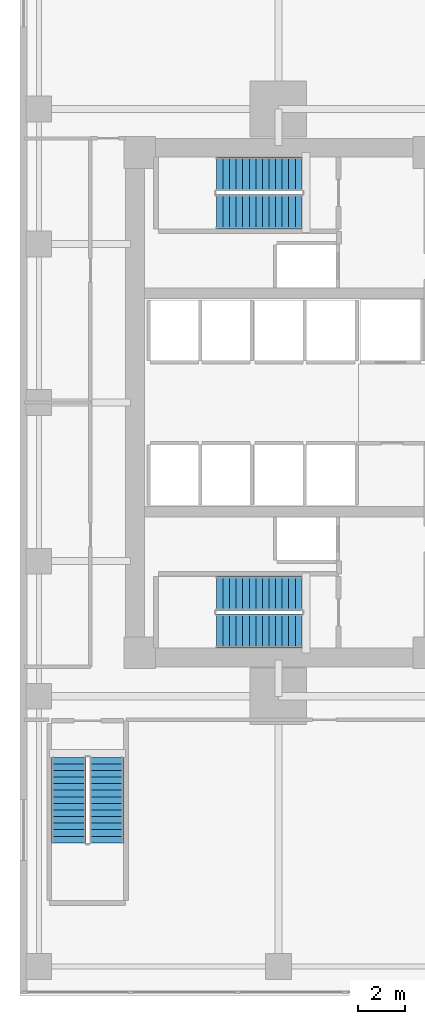
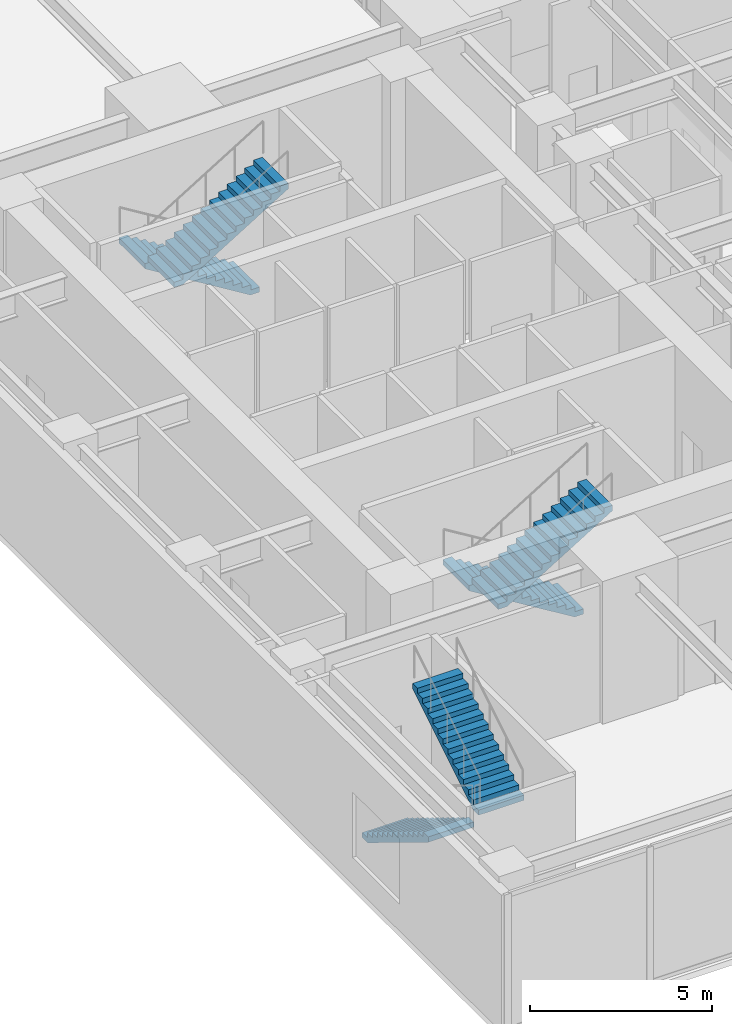
# One storey, part 11 of 13: 6 stair flights, 3 elements without a shape of their own.
"""IFC4 building model written with IfcOpenShell, lengths in metres."""

from ifc_helpers import new_model, si_unit, direction, frame, origin, place, context, subcontext, project, spatial, polyline, outline, extrude, material, type_object, element, aggregate, save


model = new_model("IFC4")

# Units and contexts
model_context = context("Model", 3, precision=1e-05, world=origin(), true_north=direction((0.0, 1.0)))
body_context = subcontext(model_context, "Body", "Model", "MODEL_VIEW")
ifc_project = project(units=[si_unit("LENGTHUNIT", "METRE"), si_unit("AREAUNIT", "SQUARE_METRE"), si_unit("VOLUMEUNIT", "CUBIC_METRE"), si_unit("PLANEANGLEUNIT", "RADIAN"), si_unit("MASSUNIT", "GRAM", prefix="KILO")], contexts=[model_context])

# Site, building, storey
site_placement = place(None, origin())
site = spatial("IfcSite", under=ifc_project, at=site_placement, CompositionType="ELEMENT")
building_placement = place(site_placement, origin())
building = spatial("IfcBuilding", under=site, at=building_placement, Name="Kinhvarn Gate Tower", CompositionType="ELEMENT")
storey_placement = place(building_placement, frame((0.0, 0.0, 15.60009765625)))
storey = spatial("IfcBuildingStorey", under=building, at=storey_placement, Name="L03", CompositionType="ELEMENT", Elevation=15.60009765625)

# Stair, stair flights
ifc_material = material(Name="Concrete C40/50", Category="concrete")
stair_type = type_object("IfcStairType", Name="STR-DLG-171", PredefinedType="HALF_TURN_STAIR", material=ifc_material)
stair_1_placement = place(storey_placement, origin())
stair_1 = element("IfcStair", 1, at=stair_1_placement, inside=storey, type_object=stair_type, Name="L03 Core Smokeproof Exit Stair ST1", PredefinedType="HALF_TURN_STAIR")
stair_flight_type = type_object("IfcStairFlightType", Name="STF-DLG-171", PredefinedType="STRAIGHT", material=ifc_material)
stair_flight_1_placement = place(storey_placement, frame((12.0, 17.125, 0.0), z_axis=(0.0, 0.0, 1.0), x_axis=(-1.0, 0.0, 0.0)))
stair_flight_1 = element("IfcStairFlight", 2, at=stair_flight_1_placement, type_object=stair_flight_type, Name="ST1 flight 1", NumberOfRisers=14, NumberOfTreads=13, PredefinedType="STRAIGHT", RiserHeight=0.171428571, TreadLength=0.28, context=body_context, shape_type="SweptSolid", body=[
    extrude(outline(polyline([(0.0, 0.0), (0.0, 0.17138671875), (0.280029296875, 0.17138671875), (0.280029296875, 0.3427734375), (0.56005859375, 0.3427734375), (0.56005859375, 0.514404296875), (0.840087890625, 0.514404296875), (0.840087890625, 0.685791015625), (1.1201171875, 0.685791015625), (1.1201171875, 0.857177734375), (1.39990234375, 0.857177734375), (1.39990234375, 1.028564453125), (1.679931640625, 1.028564453125), (1.679931640625, 1.199951171875), (1.9599609375, 1.199951171875), (1.9599609375, 1.371337890625), (2.239990234375, 1.371337890625), (2.239990234375, 1.54296875), (2.52001953125, 1.54296875), (2.52001953125, 1.71435546875), (2.800048828125, 1.71435546875), (2.800048828125, 1.8857421875), (3.080078125, 1.8857421875), (3.080078125, 2.05712890625), (3.360107421875, 2.05712890625), (3.360107421875, 2.228515625), (3.639892578125, 2.228515625), (3.639892578125, 2.39990234375), (3.639892578125, 2.052734375), (0.287109375, 0.0), (0.0, 0.0)])), frame((0.0, 0.72509765625, 0.0), z_axis=(0.0, -1.0, 0.0), x_axis=(1.0, 0.0, 0.0)), (0.0, 0.0, 1.0), 1.449951171875),
])
stair_flight_2_placement = place(storey_placement, frame((8.360107421875, 15.52490234375, 2.39990234375), z_axis=(0.0, 0.0, 1.0), x_axis=(1.0, 0.0, 0.0)))
stair_flight_2 = element("IfcStairFlight", 3, at=stair_flight_2_placement, type_object=stair_flight_type, Name="ST1 flight 2", NumberOfRisers=14, NumberOfTreads=13, PredefinedType="STRAIGHT", RiserHeight=0.171428571, TreadLength=0.28, context=body_context, shape_type="SweptSolid", body=[
    extrude(outline(polyline([(0.0, 0.0), (0.0, 0.17138671875), (0.280029296875, 0.17138671875), (0.280029296875, 0.3427734375), (0.56005859375, 0.3427734375), (0.56005859375, 0.514404296875), (0.840087890625, 0.514404296875), (0.840087890625, 0.685791015625), (1.1201171875, 0.685791015625), (1.1201171875, 0.857177734375), (1.39990234375, 0.857177734375), (1.39990234375, 1.028564453125), (1.679931640625, 1.028564453125), (1.679931640625, 1.199951171875), (1.9599609375, 1.199951171875), (1.9599609375, 1.371337890625), (2.239990234375, 1.371337890625), (2.239990234375, 1.54296875), (2.52001953125, 1.54296875), (2.52001953125, 1.71435546875), (2.800048828125, 1.71435546875), (2.800048828125, 1.8857421875), (3.080078125, 1.8857421875), (3.080078125, 2.05712890625), (3.360107421875, 2.05712890625), (3.360107421875, 2.228515625), (3.639892578125, 2.228515625), (3.639892578125, 2.39990234375), (3.639892578125, 2.052734375), (0.287109375, 0.0), (0.0, 0.0)])), frame((0.0, 0.72509765625, 0.0), z_axis=(0.0, -1.0, 0.0), x_axis=(1.0, 0.0, 0.0)), (0.0, 0.0, 1.0), 1.449951171875),
])
aggregate(stair_1, [stair_flight_1, stair_flight_2])

stair_2_placement = place(storey_placement, origin())
stair_2 = element("IfcStair", 4, at=stair_2_placement, inside=storey, type_object=stair_type, Name="L03 Core Smokeproof Exit Stair ST2", PredefinedType="HALF_TURN_STAIR")
stair_flight_3_placement = place(storey_placement, frame((12.0, 34.97509765625, 0.0), z_axis=(0.0, 0.0, 1.0), x_axis=(-1.0, 0.0, 0.0)))
stair_flight_3 = element("IfcStairFlight", 5, at=stair_flight_3_placement, type_object=stair_flight_type, Name="ST2 flight 1", NumberOfRisers=14, NumberOfTreads=13, PredefinedType="STRAIGHT", RiserHeight=0.171428571, TreadLength=0.28, context=body_context, shape_type="SweptSolid", body=[
    extrude(outline(polyline([(0.0, 0.0), (0.0, 0.17138671875), (0.280029296875, 0.17138671875), (0.280029296875, 0.3427734375), (0.56005859375, 0.3427734375), (0.56005859375, 0.514404296875), (0.840087890625, 0.514404296875), (0.840087890625, 0.685791015625), (1.1201171875, 0.685791015625), (1.1201171875, 0.857177734375), (1.39990234375, 0.857177734375), (1.39990234375, 1.028564453125), (1.679931640625, 1.028564453125), (1.679931640625, 1.199951171875), (1.9599609375, 1.199951171875), (1.9599609375, 1.371337890625), (2.239990234375, 1.371337890625), (2.239990234375, 1.54296875), (2.52001953125, 1.54296875), (2.52001953125, 1.71435546875), (2.800048828125, 1.71435546875), (2.800048828125, 1.8857421875), (3.080078125, 1.8857421875), (3.080078125, 2.05712890625), (3.360107421875, 2.05712890625), (3.360107421875, 2.228515625), (3.639892578125, 2.228515625), (3.639892578125, 2.39990234375), (3.639892578125, 2.052734375), (0.287109375, 0.0), (0.0, 0.0)])), frame((0.0, 0.72509765625, 0.0), z_axis=(0.0, -1.0, 0.0), x_axis=(1.0, 0.0, 0.0)), (0.0, 0.0, 1.0), 1.449951171875),
])
stair_flight_4_placement = place(storey_placement, frame((8.360107421875, 33.375, 2.39990234375), z_axis=(0.0, 0.0, 1.0), x_axis=(1.0, 0.0, 0.0)))
stair_flight_4 = element("IfcStairFlight", 6, at=stair_flight_4_placement, type_object=stair_flight_type, Name="ST2 flight 2", NumberOfRisers=14, NumberOfTreads=13, PredefinedType="STRAIGHT", RiserHeight=0.171428571, TreadLength=0.28, context=body_context, shape_type="SweptSolid", body=[
    extrude(outline(polyline([(0.0, 0.0), (0.0, 0.17138671875), (0.280029296875, 0.17138671875), (0.280029296875, 0.3427734375), (0.56005859375, 0.3427734375), (0.56005859375, 0.514404296875), (0.840087890625, 0.514404296875), (0.840087890625, 0.685791015625), (1.1201171875, 0.685791015625), (1.1201171875, 0.857177734375), (1.39990234375, 0.857177734375), (1.39990234375, 1.028564453125), (1.679931640625, 1.028564453125), (1.679931640625, 1.199951171875), (1.9599609375, 1.199951171875), (1.9599609375, 1.371337890625), (2.239990234375, 1.371337890625), (2.239990234375, 1.54296875), (2.52001953125, 1.54296875), (2.52001953125, 1.71435546875), (2.800048828125, 1.71435546875), (2.800048828125, 1.8857421875), (3.080078125, 1.8857421875), (3.080078125, 2.05712890625), (3.360107421875, 2.05712890625), (3.360107421875, 2.228515625), (3.639892578125, 2.228515625), (3.639892578125, 2.39990234375), (3.639892578125, 2.052734375), (0.287109375, 0.0), (0.0, 0.0)])), frame((0.0, 0.72509765625, 0.0), z_axis=(0.0, -1.0, 0.0), x_axis=(1.0, 0.0, 0.0)), (0.0, 0.0, 1.0), 1.449951171875),
])
aggregate(stair_2, [stair_flight_3, stair_flight_4])

stair_3_placement = place(storey_placement, origin())
stair_3 = element("IfcStair", 7, at=stair_3_placement, inside=storey, type_object=stair_type, Name="L03 Podium & Basement Protected Exit Stair ST3", PredefinedType="HALF_TURN_STAIR")
stair_flight_5_placement = place(storey_placement, frame((2.074951171875, 10.14990234375, 0.0), z_axis=(0.0, 0.0, 1.0), x_axis=(0.0, -1.0, 0.0)))
stair_flight_5 = element("IfcStairFlight", 8, at=stair_flight_5_placement, type_object=stair_flight_type, Name="ST3 flight 1", NumberOfRisers=14, NumberOfTreads=13, PredefinedType="STRAIGHT", RiserHeight=0.171428571, TreadLength=0.28, context=body_context, shape_type="SweptSolid", body=[
    extrude(outline(polyline([(0.0, 0.0), (0.0, 0.17138671875), (0.280029296875, 0.17138671875), (0.280029296875, 0.3427734375), (0.56005859375, 0.3427734375), (0.56005859375, 0.514404296875), (0.840087890625, 0.514404296875), (0.840087890625, 0.685791015625), (1.1201171875, 0.685791015625), (1.1201171875, 0.857177734375), (1.39990234375, 0.857177734375), (1.39990234375, 1.028564453125), (1.679931640625, 1.028564453125), (1.679931640625, 1.199951171875), (1.9599609375, 1.199951171875), (1.9599609375, 1.371337890625), (2.239990234375, 1.371337890625), (2.239990234375, 1.54296875), (2.52001953125, 1.54296875), (2.52001953125, 1.71435546875), (2.800048828125, 1.71435546875), (2.800048828125, 1.8857421875), (3.080078125, 1.8857421875), (3.080078125, 2.05712890625), (3.360107421875, 2.05712890625), (3.360107421875, 2.228515625), (3.639892578125, 2.228515625), (3.639892578125, 2.39990234375), (3.639892578125, 2.052734375), (0.287109375, 0.0), (0.0, 0.0)])), frame((0.0, 0.72509765625, 0.0), z_axis=(0.0, -1.0, 0.0), x_axis=(1.0, 0.0, 0.0)), (0.0, 0.0, 1.0), 1.449951171875),
])
stair_flight_6_placement = place(storey_placement, frame((3.675048828125, 6.510009765625, 2.39990234375), z_axis=(0.0, 0.0, 1.0), x_axis=(0.0, 1.0, 0.0)))
stair_flight_6 = element("IfcStairFlight", 9, at=stair_flight_6_placement, type_object=stair_flight_type, Name="ST3 flight 2", NumberOfRisers=14, NumberOfTreads=13, PredefinedType="STRAIGHT", RiserHeight=0.171428571, TreadLength=0.28, context=body_context, shape_type="SweptSolid", body=[
    extrude(outline(polyline([(0.0, 0.0), (0.0, 0.17138671875), (0.280029296875, 0.17138671875), (0.280029296875, 0.3427734375), (0.56005859375, 0.3427734375), (0.56005859375, 0.514404296875), (0.840087890625, 0.514404296875), (0.840087890625, 0.685791015625), (1.1201171875, 0.685791015625), (1.1201171875, 0.857177734375), (1.39990234375, 0.857177734375), (1.39990234375, 1.028564453125), (1.679931640625, 1.028564453125), (1.679931640625, 1.199951171875), (1.9599609375, 1.199951171875), (1.9599609375, 1.371337890625), (2.239990234375, 1.371337890625), (2.239990234375, 1.54296875), (2.52001953125, 1.54296875), (2.52001953125, 1.71435546875), (2.800048828125, 1.71435546875), (2.800048828125, 1.8857421875), (3.080078125, 1.8857421875), (3.080078125, 2.05712890625), (3.360107421875, 2.05712890625), (3.360107421875, 2.228515625), (3.639892578125, 2.228515625), (3.639892578125, 2.39990234375), (3.639892578125, 2.052734375), (0.287109375, 0.0), (0.0, 0.0)])), frame((0.0, 0.72509765625, 0.0), z_axis=(0.0, -1.0, 0.0), x_axis=(1.0, 0.0, 0.0)), (0.0, 0.0, 1.0), 1.449951171875),
])
aggregate(stair_3, [stair_flight_5, stair_flight_6])

save(model, "model.ifc")
